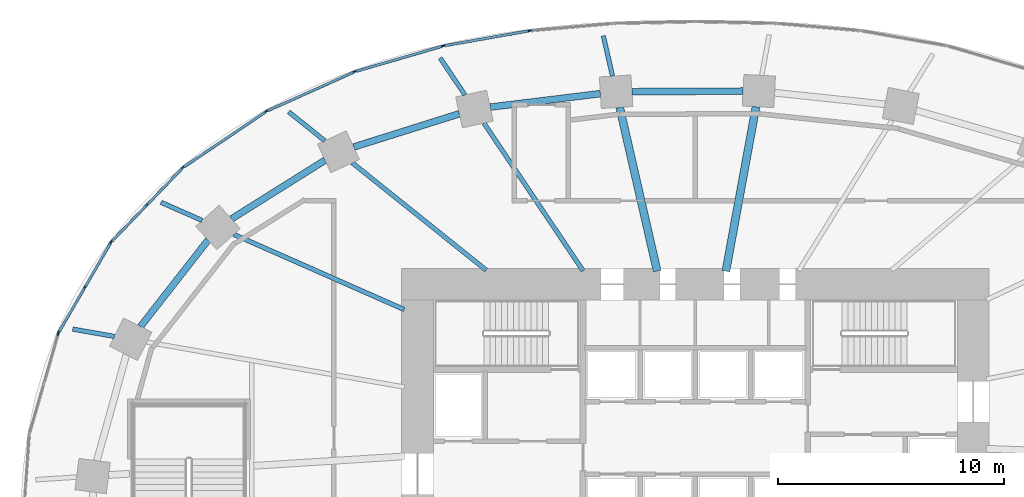
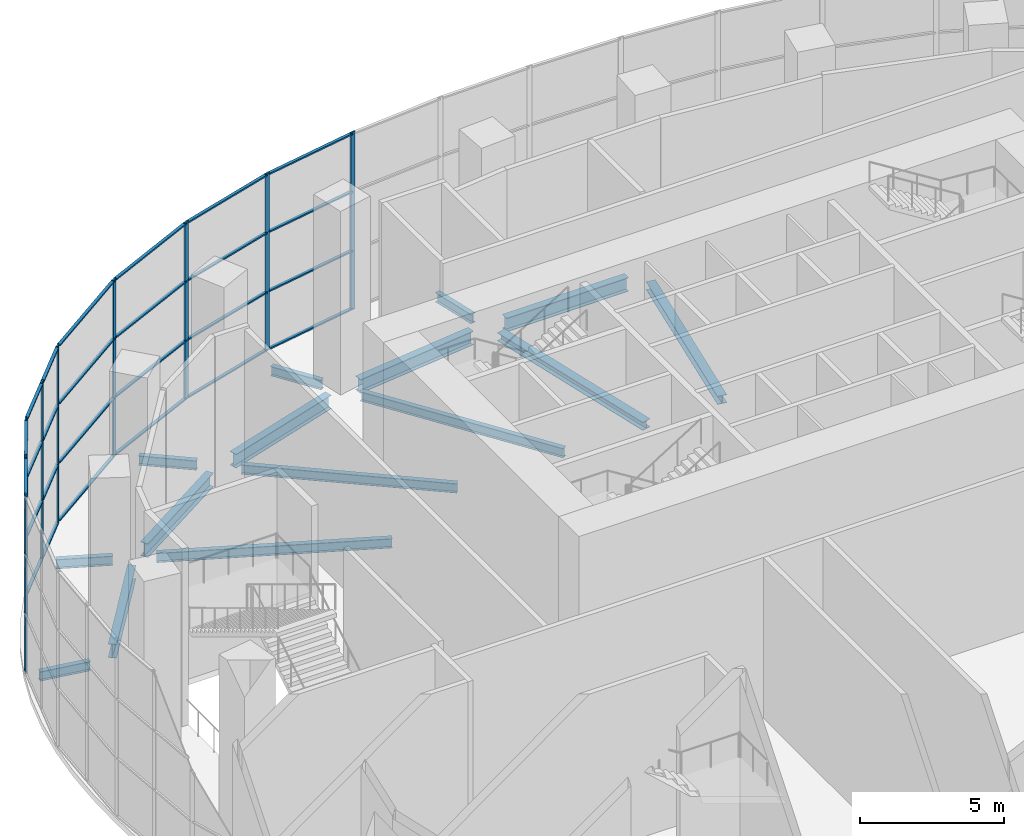
# One storey, part 7 of 22: 41 members, 15 beams, 7 elements without a shape of their own.
"""IFC4 building model written with IfcOpenShell, lengths in metres."""

from ifc_helpers import new_model, si_unit, direction, frame, origin, origin_2d, place, context, subcontext, project, spatial, rectangle, i_section, extrude, material, material_profile, profile_set, type_object, element, aggregate, save


model = new_model("IFC4")

# Units and contexts
model_context = context("Model", 3, precision=1e-05, world=origin(), true_north=direction((0.0, 1.0)))
body_context = subcontext(model_context, "Body", "Model", "MODEL_VIEW")
ifc_project = project(units=[si_unit("LENGTHUNIT", "METRE"), si_unit("AREAUNIT", "SQUARE_METRE"), si_unit("VOLUMEUNIT", "CUBIC_METRE"), si_unit("PLANEANGLEUNIT", "RADIAN"), si_unit("MASSUNIT", "GRAM", prefix="KILO")], contexts=[model_context])

# Site, building, storey
site_placement = place(None, origin())
site = spatial("IfcSite", under=ifc_project, at=site_placement, CompositionType="ELEMENT")
building_placement = place(site_placement, origin())
building = spatial("IfcBuilding", under=site, at=building_placement, Name="Rubra Terraces Tower", CompositionType="ELEMENT")
storey_placement = place(building_placement, frame((0.0, 0.0, 15.0)))
storey = spatial("IfcBuildingStorey", under=building, at=storey_placement, Name="L02", CompositionType="ELEMENT", Elevation=15.0)

# Beams
ifc_material_1 = material(Name="Steel Q355B", Category="steel")
ifc_material_profile_1 = material_profile(ifc_material_1, i_section(OverallWidth=0.199951171875, OverallDepth=0.39990234375, WebThickness=0.008056640625, FlangeThickness=0.012939453125, at=origin_2d()), Name="HN 400x200x8x13")
ifc_profile_set_1 = profile_set([ifc_material_profile_1], Name="Steel Q355B")
beam_type_1 = type_object("IfcBeamType", Name="CANTILEVER BEAM HN 400x200x8x13", PredefinedType="BEAM", material=ifc_profile_set_1)
beam_1_placement = place(storey_placement, frame((-3.6669921875, 20.514892578125, -0.449951171875), z_axis=(-0.223175715845, 0.974778231116, 0.0), x_axis=(-0.974778231116, -0.223175715845, 0.0)))
element("IfcBeam", 1, at=beam_1_placement, inside=storey, type_object=beam_type_1, Name="beam-L02-cant-07", PredefinedType="BEAM", context=body_context, shape_type="SweptSolid", body=[
    extrude(i_section(OverallWidth=0.199951171875, OverallDepth=0.39990234375, WebThickness=0.008056640625, FlangeThickness=0.012939453125, at=origin_2d()), origin(), (0.0, 0.0, 1.0), 1.832275390625),
])
beam_2_placement = place(storey_placement, frame((-10.199951171875, 19.68310546875, -0.449951171875), z_axis=(-0.557732327532, 0.830020873729, 0.0), x_axis=(-0.830020873729, -0.557732327532, 0.0)))
element("IfcBeam", 2, at=beam_2_placement, inside=storey, type_object=beam_type_1, Name="beam-L02-cant-08", PredefinedType="BEAM", context=body_context, shape_type="SweptSolid", body=[
    extrude(i_section(OverallWidth=0.199951171875, OverallDepth=0.39990234375, WebThickness=0.008056640625, FlangeThickness=0.012939453125, at=origin_2d()), origin(), (0.0, 0.0, 1.0), 1.96728515625),
])
beam_3_placement = place(storey_placement, frame((-16.408935546875, 17.654052734375, -0.449951171875), z_axis=(-0.780088162003, 0.625669608901, 0.0), x_axis=(-0.625669608901, -0.780088162003, 0.0)))
element("IfcBeam", 3, at=beam_3_placement, inside=storey, type_object=beam_type_1, Name="beam-L02-cant-09", PredefinedType="BEAM", context=body_context, shape_type="SweptSolid", body=[
    extrude(i_section(OverallWidth=0.199951171875, OverallDepth=0.39990234375, WebThickness=0.008056640625, FlangeThickness=0.012939453125, at=origin_2d()), origin(), (0.0, 0.0, 1.0), 2.0458984375),
])
beam_4_placement = place(storey_placement, frame((-21.8369140625, 14.1259765625, -0.449951171875), z_axis=(-0.914937817451, 0.403594834205, 0.0), x_axis=(-0.403594834205, -0.914937817451, 0.0)))
element("IfcBeam", 4, at=beam_4_placement, inside=storey, type_object=beam_type_1, Name="beam-L02-cant-10", PredefinedType="BEAM", context=body_context, shape_type="SweptSolid", body=[
    extrude(i_section(OverallWidth=0.199951171875, OverallDepth=0.39990234375, WebThickness=0.008056640625, FlangeThickness=0.012939453125, at=origin_2d()), origin(), (0.0, 0.0, 1.0), 1.987060546875),
])
beam_5_placement = place(storey_placement, frame((-25.722900390625, 8.991943359375, -0.449951171875), z_axis=(-0.985091859612, 0.172029149057, 0.0), x_axis=(-0.172029149057, -0.985091859612, 0.0)))
element("IfcBeam", 5, at=beam_5_placement, inside=storey, type_object=beam_type_1, Name="beam-L02-cant-11", PredefinedType="BEAM", context=body_context, shape_type="SweptSolid", body=[
    extrude(i_section(OverallWidth=0.199951171875, OverallDepth=0.39990234375, WebThickness=0.008056640625, FlangeThickness=0.012939453125, at=origin_2d()), origin(), (0.0, 0.0, 1.0), 1.871826171875),
])
ifc_material_profile_2 = material_profile(ifc_material_1, i_section(OverallWidth=0.199951171875, OverallDepth=0.39990234375, WebThickness=0.008056640625, FlangeThickness=0.012939453125, at=origin_2d()), Name="HN 400x200x8x13")
ifc_profile_set_2 = profile_set([ifc_material_profile_2], Name="Steel Q355B")
beam_type_2 = type_object("IfcBeamType", Name="FLOOR BEAM HN 400x200x8x13", PredefinedType="BEAM", material=ifc_profile_set_2)
beam_6_placement = place(storey_placement, frame((-9.360107421875, 18.43310546875, -0.449951171875), z_axis=(0.557574689395, -0.830126776912, 0.0), x_axis=(0.830126776912, 0.557574689395, 0.0)))
element("IfcBeam", 6, at=beam_6_placement, inside=storey, type_object=beam_type_2, Name="beam-L02-floor-08", PredefinedType="BEAM", context=body_context, shape_type="SweptSolid", body=[
    extrude(i_section(OverallWidth=0.199951171875, OverallDepth=0.39990234375, WebThickness=0.008056640625, FlangeThickness=0.012939453125, at=origin_2d()), origin(), (0.0, 0.0, 1.0), 7.8701171875),
])
beam_7_placement = place(storey_placement, frame((-15.18896484375, 16.676025390625, -0.449951171875), z_axis=(0.780266406942, -0.625447307291, 0.0), x_axis=(0.625447307291, 0.780266406942, 0.0)))
element("IfcBeam", 7, at=beam_7_placement, inside=storey, type_object=beam_type_2, Name="beam-L02-floor-09", PredefinedType="BEAM", context=body_context, shape_type="SweptSolid", body=[
    extrude(i_section(OverallWidth=0.199951171875, OverallDepth=0.39990234375, WebThickness=0.008056640625, FlangeThickness=0.012939453125, at=origin_2d()), origin(), (0.0, 0.0, 1.0), 7.59619140625),
])
beam_8_placement = place(storey_placement, frame((-20.43310546875, 13.508056640625, -0.449951171875), z_axis=(0.914994662209, -0.4034659442, 0.0), x_axis=(0.4034659442, 0.914994662209, 0.0)))
element("IfcBeam", 8, at=beam_8_placement, inside=storey, type_object=beam_type_2, Name="beam-L02-floor-10", PredefinedType="BEAM", context=body_context, shape_type="SweptSolid", body=[
    extrude(i_section(OverallWidth=0.199951171875, OverallDepth=0.39990234375, WebThickness=0.008056640625, FlangeThickness=0.012939453125, at=origin_2d()), origin(), (0.0, 0.0, 1.0), 8.243896484375),
])
ifc_material_profile_3 = material_profile(ifc_material_1, i_section(OverallWidth=0.35009765625, OverallDepth=0.35009765625, WebThickness=0.011962890625, FlangeThickness=0.01904296875, at=origin_2d()), Name="HW 350x350x12x19")
ifc_profile_set_3 = profile_set([ifc_material_profile_3], Name="Steel Q355B")
beam_type_3 = type_object("IfcBeamType", Name="FLOOR BEAM HW 350x350x12x19", PredefinedType="BEAM", material=ifc_profile_set_3)
beam_9_placement = place(storey_placement, frame((2.68408203125, 19.158935546875, -0.425048828125), z_axis=(-0.180186319425, -0.983632497578, 0.0), x_axis=(0.983632497578, -0.180186319425, 0.0)))
element("IfcBeam", 9, at=beam_9_placement, inside=storey, type_object=beam_type_3, Name="beam-L02-floor-06", PredefinedType="BEAM", context=body_context, shape_type="SweptSolid", body=[
    extrude(i_section(OverallWidth=0.35009765625, OverallDepth=0.35009765625, WebThickness=0.011962890625, FlangeThickness=0.01904296875, at=origin_2d()), origin(), (0.0, 0.0, 1.0), 7.39794921875),
])
beam_10_placement = place(storey_placement, frame((-3.35107421875, 19.133056640625, -0.425048828125), z_axis=(0.223209821828, -0.974770421914, 0.0), x_axis=(0.974770421914, 0.223209821828, 0.0)))
element("IfcBeam", 10, at=beam_10_placement, inside=storey, type_object=beam_type_3, Name="beam-L02-floor-07", PredefinedType="BEAM", context=body_context, shape_type="SweptSolid", body=[
    extrude(i_section(OverallWidth=0.35009765625, OverallDepth=0.35009765625, WebThickness=0.011962890625, FlangeThickness=0.01904296875, at=origin_2d()), origin(), (0.0, 0.0, 1.0), 7.437744140625),
])

# Curtain wall, member
ifc_material_2 = material(Name="Aluminium and glass", Category="aluminium")
curtain_wall_type = type_object("IfcCurtainWallType", Name="Curtain wall Podium glazing", PredefinedType="NOTDEFINED", material=ifc_material_2)
curtain_wall_1_placement = place(storey_placement, origin())
curtain_wall_1 = element("IfcCurtainWall", 11, at=curtain_wall_1_placement, inside=storey, type_object=curtain_wall_type, Name="L02 glazing bay 13", PredefinedType="NOTDEFINED")
ifc_material_3 = material(Name="Aluminium, anodised dark grey", Category="aluminium")
ifc_material_profile_4 = material_profile(ifc_material_3, rectangle(XDim=0.06005859375, YDim=0.199951171875, at=origin_2d()), Name="AL 60x200")
ifc_profile_set_4 = profile_set([ifc_material_profile_4], Name="Aluminium, anodised dark grey")
member_type_1 = type_object("IfcMemberType", Name="Podium glazing mullion 60 x 200", PredefinedType="MULLION", material=ifc_profile_set_4)
member_1_placement = place(storey_placement, frame((-7.359619140625, 22.52099609375, 0.0), z_axis=(0.0, 0.0, 1.0), x_axis=(0.172816985997, -0.984953952909, 0.0)))
member_1 = element("IfcMember", 12, at=member_1_placement, type_object=member_type_1, Name="CW1 mullion 1", PredefinedType="MULLION", context=body_context, shape_type="SweptSolid", body=[
    extrude(rectangle(XDim=0.06005859375, YDim=0.199951171875, at=origin_2d()), origin(), (0.0, 0.0, 1.0), 7.550048828125),
])

curtain_wall_2_placement = place(storey_placement, origin())
curtain_wall_2 = element("IfcCurtainWall", 13, at=curtain_wall_2_placement, inside=storey, type_object=curtain_wall_type, Name="L02 glazing bay 14", PredefinedType="NOTDEFINED")
member_2_placement = place(storey_placement, frame((-11.180908203125, 21.84765625, 0.0), z_axis=(0.0, 0.0, 1.0), x_axis=(0.279399200229, -0.96017502931, 0.0)))
member_2 = element("IfcMember", 14, at=member_2_placement, type_object=member_type_1, Name="CW1 mullion 1", PredefinedType="MULLION", context=body_context, shape_type="SweptSolid", body=[
    extrude(rectangle(XDim=0.06005859375, YDim=0.199951171875, at=origin_2d()), origin(), (0.0, 0.0, 1.0), 7.550048828125),
])

curtain_wall_3_placement = place(storey_placement, origin())
curtain_wall_3 = element("IfcCurtainWall", 15, at=curtain_wall_3_placement, inside=storey, type_object=curtain_wall_type, Name="L02 glazing bay 15", PredefinedType="NOTDEFINED")
member_3_placement = place(storey_placement, frame((-15.09765625, 20.704345703125, 0.0), z_axis=(0.0, 0.0, 1.0), x_axis=(0.4089624427, -0.912551215254, 0.0)))
member_3 = element("IfcMember", 16, at=member_3_placement, type_object=member_type_1, Name="CW1 mullion 1", PredefinedType="MULLION", context=body_context, shape_type="SweptSolid", body=[
    extrude(rectangle(XDim=0.06005859375, YDim=0.199951171875, at=origin_2d()), origin(), (0.0, 0.0, 1.0), 7.550048828125),
])

curtain_wall_4_placement = place(storey_placement, origin())
curtain_wall_4 = element("IfcCurtainWall", 17, at=curtain_wall_4_placement, inside=storey, type_object=curtain_wall_type, Name="L02 glazing bay 16", PredefinedType="NOTDEFINED")
member_4_placement = place(storey_placement, frame((-19.009033203125, 18.947021484375, 0.0), z_axis=(0.0, 0.0, 1.0), x_axis=(0.55927727939, -0.828980654031, 0.0)))
member_4 = element("IfcMember", 18, at=member_4_placement, type_object=member_type_1, Name="CW1 mullion 1", PredefinedType="MULLION", context=body_context, shape_type="SweptSolid", body=[
    extrude(rectangle(XDim=0.06005859375, YDim=0.199951171875, at=origin_2d()), origin(), (0.0, 0.0, 1.0), 7.550048828125),
])

# Curtain wall, members
curtain_wall_5_placement = place(storey_placement, origin())
curtain_wall_5 = element("IfcCurtainWall", 19, at=curtain_wall_5_placement, inside=storey, type_object=curtain_wall_type, Name="L02 glazing bay 17", PredefinedType="NOTDEFINED")
member_5_placement = place(storey_placement, frame((-22.705810546875, 16.447265625, 0.0), z_axis=(0.0, 0.0, 1.0), x_axis=(0.71982488517, -0.69415569917, 0.0)))
member_5 = element("IfcMember", 20, at=member_5_placement, type_object=member_type_1, Name="CW1 mullion 1", PredefinedType="MULLION", context=body_context, shape_type="SweptSolid", body=[
    extrude(rectangle(XDim=0.06005859375, YDim=0.199951171875, at=origin_2d()), origin(), (0.0, 0.0, 1.0), 7.550048828125),
])
member_6_placement = place(storey_placement, frame((-24.280517578125, 14.814453125, 0.0), z_axis=(0.0, 0.0, 1.0), x_axis=(0.71982488517, -0.69415569917, 0.0)))
member_6 = element("IfcMember", 21, at=member_6_placement, type_object=member_type_1, Name="CW1 mullion 2", PredefinedType="MULLION", context=body_context, shape_type="SweptSolid", body=[
    extrude(rectangle(XDim=0.06005859375, YDim=0.199951171875, at=origin_2d()), origin(), (0.0, 0.0, 1.0), 7.550048828125),
])

curtain_wall_6_placement = place(storey_placement, origin())
curtain_wall_6 = element("IfcCurtainWall", 22, at=curtain_wall_6_placement, inside=storey, type_object=curtain_wall_type, Name="L02 glazing bay 18", PredefinedType="NOTDEFINED")
member_7_placement = place(storey_placement, frame((-25.880126953125, 13.1484375, 0.0), z_axis=(0.0, 0.0, 1.0), x_axis=(0.864813011398, -0.502094070187, 0.0)))
member_7 = element("IfcMember", 23, at=member_7_placement, type_object=member_type_1, Name="CW1 mullion 1", PredefinedType="MULLION", context=body_context, shape_type="SweptSolid", body=[
    extrude(rectangle(XDim=0.06005859375, YDim=0.199951171875, at=origin_2d()), origin(), (0.0, 0.0, 1.0), 7.550048828125),
])
member_8_placement = place(storey_placement, frame((-27.0341796875, 11.160888671875, 0.0), z_axis=(0.0, 0.0, 1.0), x_axis=(0.864813011398, -0.502094070187, 0.0)))
member_8 = element("IfcMember", 24, at=member_8_placement, type_object=member_type_1, Name="CW1 mullion 2", PredefinedType="MULLION", context=body_context, shape_type="SweptSolid", body=[
    extrude(rectangle(XDim=0.06005859375, YDim=0.199951171875, at=origin_2d()), origin(), (0.0, 0.0, 1.0), 7.550048828125),
])

# Curtain wall, member
curtain_wall_7_placement = place(storey_placement, origin())
curtain_wall_7 = element("IfcCurtainWall", 25, at=curtain_wall_7_placement, inside=storey, type_object=curtain_wall_type, Name="L02 glazing bay 19", PredefinedType="NOTDEFINED")
member_9_placement = place(storey_placement, frame((-28.2041015625, 9.135498046875, 0.0), z_axis=(0.0, 0.0, 1.0), x_axis=(0.961047339404, -0.276383811798, 0.0)))
member_9 = element("IfcMember", 26, at=member_9_placement, type_object=member_type_1, Name="CW1 mullion 1", PredefinedType="MULLION", context=body_context, shape_type="SweptSolid", body=[
    extrude(rectangle(XDim=0.06005859375, YDim=0.199951171875, at=origin_2d()), origin(), (0.0, 0.0, 1.0), 7.550048828125),
])
aggregate(curtain_wall_7, [member_9])

# Member
ifc_material_profile_5 = material_profile(ifc_material_3, rectangle(XDim=0.1201171875, YDim=0.06005859375, at=origin_2d()), Name="AL 120x60")
ifc_profile_set_5 = profile_set([ifc_material_profile_5], Name="Aluminium, anodised dark grey")
member_type_2 = type_object("IfcMemberType", Name="Podium glazing transom 120 x 60", PredefinedType="USERDEFINED", material=ifc_profile_set_5)
member_10_placement = place(storey_placement, frame((-7.38916015625, 22.515625, 0.06005859375), z_axis=(-0.984959152546, -0.172787348539, 0.0), x_axis=(0.172787348539, -0.984959152546, 0.0)))
member_10 = element("IfcMember", 27, at=member_10_placement, type_object=member_type_2, Name="CW1 transom 1.1", ObjectType="TRANSOM", PredefinedType="USERDEFINED", context=body_context, shape_type="SweptSolid", body=[
    extrude(rectangle(XDim=0.1201171875, YDim=0.06005859375, at=origin_2d()), origin(), (0.0, 0.0, 1.0), 3.768310546875),
])

member_11_placement = place(storey_placement, frame((-7.38916015625, 22.515625, 2.5166015625), z_axis=(-0.984959152546, -0.172787348539, 0.0), x_axis=(0.172787348539, -0.984959152546, 0.0)))
member_11 = element("IfcMember", 28, at=member_11_placement, type_object=member_type_2, Name="CW1 transom 1.2", ObjectType="TRANSOM", PredefinedType="USERDEFINED", context=body_context, shape_type="SweptSolid", body=[
    extrude(rectangle(XDim=0.1201171875, YDim=0.06005859375, at=origin_2d()), origin(), (0.0, 0.0, 1.0), 3.768310546875),
])

member_12_placement = place(storey_placement, frame((-7.38916015625, 22.515625, 5.033203125), z_axis=(-0.984959152546, -0.172787348539, 0.0), x_axis=(0.172787348539, -0.984959152546, 0.0)))
member_12 = element("IfcMember", 29, at=member_12_placement, type_object=member_type_2, Name="CW1 transom 1.3", ObjectType="TRANSOM", PredefinedType="USERDEFINED", context=body_context, shape_type="SweptSolid", body=[
    extrude(rectangle(XDim=0.1201171875, YDim=0.06005859375, at=origin_2d()), origin(), (0.0, 0.0, 1.0), 3.768310546875),
])

member_13_placement = place(storey_placement, frame((-7.38916015625, 22.515625, 7.489990234375), z_axis=(-0.984959152546, -0.172787348539, 0.0), x_axis=(0.172787348539, -0.984959152546, 0.0)))
member_13 = element("IfcMember", 30, at=member_13_placement, type_object=member_type_2, Name="CW1 transom 1.4", ObjectType="TRANSOM", PredefinedType="USERDEFINED", context=body_context, shape_type="SweptSolid", body=[
    extrude(rectangle(XDim=0.1201171875, YDim=0.06005859375, at=origin_2d()), origin(), (0.0, 0.0, 1.0), 3.768310546875),
])

aggregate(curtain_wall_1, [member_1, member_10, member_11, member_12, member_13])

member_14_placement = place(storey_placement, frame((-11.209716796875, 21.83935546875, 0.06005859375), z_axis=(-0.960164409194, -0.279435694422, 0.0), x_axis=(0.279435694422, -0.960164409194, 0.0)))
member_14 = element("IfcMember", 31, at=member_14_placement, type_object=member_type_2, Name="CW1 transom 1.1", ObjectType="TRANSOM", PredefinedType="USERDEFINED", context=body_context, shape_type="SweptSolid", body=[
    extrude(rectangle(XDim=0.1201171875, YDim=0.06005859375, at=origin_2d()), origin(), (0.0, 0.0, 1.0), 3.970947265625),
])

member_15_placement = place(storey_placement, frame((-11.209716796875, 21.83935546875, 2.5166015625), z_axis=(-0.960164409194, -0.279435694422, 0.0), x_axis=(0.279435694422, -0.960164409194, 0.0)))
member_15 = element("IfcMember", 32, at=member_15_placement, type_object=member_type_2, Name="CW1 transom 1.2", ObjectType="TRANSOM", PredefinedType="USERDEFINED", context=body_context, shape_type="SweptSolid", body=[
    extrude(rectangle(XDim=0.1201171875, YDim=0.06005859375, at=origin_2d()), origin(), (0.0, 0.0, 1.0), 3.970947265625),
])

member_16_placement = place(storey_placement, frame((-11.209716796875, 21.83935546875, 5.033203125), z_axis=(-0.960164409194, -0.279435694422, 0.0), x_axis=(0.279435694422, -0.960164409194, 0.0)))
member_16 = element("IfcMember", 33, at=member_16_placement, type_object=member_type_2, Name="CW1 transom 1.3", ObjectType="TRANSOM", PredefinedType="USERDEFINED", context=body_context, shape_type="SweptSolid", body=[
    extrude(rectangle(XDim=0.1201171875, YDim=0.06005859375, at=origin_2d()), origin(), (0.0, 0.0, 1.0), 3.970947265625),
])

member_17_placement = place(storey_placement, frame((-11.209716796875, 21.83935546875, 7.489990234375), z_axis=(-0.960164409194, -0.279435694422, 0.0), x_axis=(0.279435694422, -0.960164409194, 0.0)))
member_17 = element("IfcMember", 34, at=member_17_placement, type_object=member_type_2, Name="CW1 transom 1.4", ObjectType="TRANSOM", PredefinedType="USERDEFINED", context=body_context, shape_type="SweptSolid", body=[
    extrude(rectangle(XDim=0.1201171875, YDim=0.06005859375, at=origin_2d()), origin(), (0.0, 0.0, 1.0), 3.970947265625),
])

aggregate(curtain_wall_2, [member_2, member_14, member_15, member_16, member_17])

member_18_placement = place(storey_placement, frame((-15.125, 20.692138671875, 0.06005859375), z_axis=(-0.912545396627, -0.408975426029, 0.0), x_axis=(0.408975426029, -0.912545396627, 0.0)))
member_18 = element("IfcMember", 35, at=member_18_placement, type_object=member_type_2, Name="CW1 transom 1.1", ObjectType="TRANSOM", PredefinedType="USERDEFINED", context=body_context, shape_type="SweptSolid", body=[
    extrude(rectangle(XDim=0.1201171875, YDim=0.06005859375, at=origin_2d()), origin(), (0.0, 0.0, 1.0), 4.18115234375),
])

member_19_placement = place(storey_placement, frame((-15.125, 20.692138671875, 2.5166015625), z_axis=(-0.912545396627, -0.408975426029, 0.0), x_axis=(0.408975426029, -0.912545396627, 0.0)))
member_19 = element("IfcMember", 36, at=member_19_placement, type_object=member_type_2, Name="CW1 transom 1.2", ObjectType="TRANSOM", PredefinedType="USERDEFINED", context=body_context, shape_type="SweptSolid", body=[
    extrude(rectangle(XDim=0.1201171875, YDim=0.06005859375, at=origin_2d()), origin(), (0.0, 0.0, 1.0), 4.18115234375),
])

member_20_placement = place(storey_placement, frame((-15.125, 20.692138671875, 5.033203125), z_axis=(-0.912545396627, -0.408975426029, 0.0), x_axis=(0.408975426029, -0.912545396627, 0.0)))
member_20 = element("IfcMember", 37, at=member_20_placement, type_object=member_type_2, Name="CW1 transom 1.3", ObjectType="TRANSOM", PredefinedType="USERDEFINED", context=body_context, shape_type="SweptSolid", body=[
    extrude(rectangle(XDim=0.1201171875, YDim=0.06005859375, at=origin_2d()), origin(), (0.0, 0.0, 1.0), 4.18115234375),
])

member_21_placement = place(storey_placement, frame((-15.125, 20.692138671875, 7.489990234375), z_axis=(-0.912545396627, -0.408975426029, 0.0), x_axis=(0.408975426029, -0.912545396627, 0.0)))
member_21 = element("IfcMember", 38, at=member_21_placement, type_object=member_type_2, Name="CW1 transom 1.4", ObjectType="TRANSOM", PredefinedType="USERDEFINED", context=body_context, shape_type="SweptSolid", body=[
    extrude(rectangle(XDim=0.1201171875, YDim=0.06005859375, at=origin_2d()), origin(), (0.0, 0.0, 1.0), 4.18115234375),
])

aggregate(curtain_wall_3, [member_3, member_18, member_19, member_20, member_21])

member_22_placement = place(storey_placement, frame((-19.033935546875, 18.93017578125, 0.06005859375), z_axis=(-0.828996039897, -0.559254473236, 0.0), x_axis=(0.559254473236, -0.828996039897, 0.0)))
member_22 = element("IfcMember", 39, at=member_22_placement, type_object=member_type_2, Name="CW1 transom 1.1", ObjectType="TRANSOM", PredefinedType="USERDEFINED", context=body_context, shape_type="SweptSolid", body=[
    extrude(rectangle(XDim=0.1201171875, YDim=0.06005859375, at=origin_2d()), origin(), (0.0, 0.0, 1.0), 4.35888671875),
])

member_23_placement = place(storey_placement, frame((-19.033935546875, 18.93017578125, 2.5166015625), z_axis=(-0.828996039897, -0.559254473236, 0.0), x_axis=(0.559254473236, -0.828996039897, 0.0)))
member_23 = element("IfcMember", 40, at=member_23_placement, type_object=member_type_2, Name="CW1 transom 1.2", ObjectType="TRANSOM", PredefinedType="USERDEFINED", context=body_context, shape_type="SweptSolid", body=[
    extrude(rectangle(XDim=0.1201171875, YDim=0.06005859375, at=origin_2d()), origin(), (0.0, 0.0, 1.0), 4.35888671875),
])

member_24_placement = place(storey_placement, frame((-19.033935546875, 18.93017578125, 5.033203125), z_axis=(-0.828996039897, -0.559254473236, 0.0), x_axis=(0.559254473236, -0.828996039897, 0.0)))
member_24 = element("IfcMember", 41, at=member_24_placement, type_object=member_type_2, Name="CW1 transom 1.3", ObjectType="TRANSOM", PredefinedType="USERDEFINED", context=body_context, shape_type="SweptSolid", body=[
    extrude(rectangle(XDim=0.1201171875, YDim=0.06005859375, at=origin_2d()), origin(), (0.0, 0.0, 1.0), 4.35888671875),
])

member_25_placement = place(storey_placement, frame((-19.033935546875, 18.93017578125, 7.489990234375), z_axis=(-0.828996039897, -0.559254473236, 0.0), x_axis=(0.559254473236, -0.828996039897, 0.0)))
member_25 = element("IfcMember", 42, at=member_25_placement, type_object=member_type_2, Name="CW1 transom 1.4", ObjectType="TRANSOM", PredefinedType="USERDEFINED", context=body_context, shape_type="SweptSolid", body=[
    extrude(rectangle(XDim=0.1201171875, YDim=0.06005859375, at=origin_2d()), origin(), (0.0, 0.0, 1.0), 4.35888671875),
])

aggregate(curtain_wall_4, [member_4, member_22, member_23, member_24, member_25])

member_26_placement = place(storey_placement, frame((-22.7265625, 16.42578125, 0.06005859375), z_axis=(-0.694168299732, -0.719812733735, 0.0), x_axis=(0.719812733735, -0.694168299732, 0.0)))
member_26 = element("IfcMember", 43, at=member_26_placement, type_object=member_type_2, Name="CW1 transom 1.1", ObjectType="TRANSOM", PredefinedType="USERDEFINED", context=body_context, shape_type="SweptSolid", body=[
    extrude(rectangle(XDim=0.1201171875, YDim=0.06005859375, at=origin_2d()), origin(), (0.0, 0.0, 1.0), 2.208740234375),
])

member_27_placement = place(storey_placement, frame((-22.7265625, 16.42578125, 2.5166015625), z_axis=(-0.694168299732, -0.719812733735, 0.0), x_axis=(0.719812733735, -0.694168299732, 0.0)))
member_27 = element("IfcMember", 44, at=member_27_placement, type_object=member_type_2, Name="CW1 transom 1.2", ObjectType="TRANSOM", PredefinedType="USERDEFINED", context=body_context, shape_type="SweptSolid", body=[
    extrude(rectangle(XDim=0.1201171875, YDim=0.06005859375, at=origin_2d()), origin(), (0.0, 0.0, 1.0), 2.208740234375),
])

member_28_placement = place(storey_placement, frame((-22.7265625, 16.42578125, 5.033203125), z_axis=(-0.694168299732, -0.719812733735, 0.0), x_axis=(0.719812733735, -0.694168299732, 0.0)))
member_28 = element("IfcMember", 45, at=member_28_placement, type_object=member_type_2, Name="CW1 transom 1.3", ObjectType="TRANSOM", PredefinedType="USERDEFINED", context=body_context, shape_type="SweptSolid", body=[
    extrude(rectangle(XDim=0.1201171875, YDim=0.06005859375, at=origin_2d()), origin(), (0.0, 0.0, 1.0), 2.208740234375),
])

member_29_placement = place(storey_placement, frame((-22.7265625, 16.42578125, 7.489990234375), z_axis=(-0.694168299732, -0.719812733735, 0.0), x_axis=(0.719812733735, -0.694168299732, 0.0)))
member_29 = element("IfcMember", 46, at=member_29_placement, type_object=member_type_2, Name="CW1 transom 1.4", ObjectType="TRANSOM", PredefinedType="USERDEFINED", context=body_context, shape_type="SweptSolid", body=[
    extrude(rectangle(XDim=0.1201171875, YDim=0.06005859375, at=origin_2d()), origin(), (0.0, 0.0, 1.0), 2.208740234375),
])

member_30_placement = place(storey_placement, frame((-24.30126953125, 14.792724609375, 0.06005859375), z_axis=(-0.694223533913, -0.719759463266, 0.0), x_axis=(0.719759463266, -0.694223533913, 0.0)))
member_30 = element("IfcMember", 47, at=member_30_placement, type_object=member_type_2, Name="CW1 transom 2.1", ObjectType="TRANSOM", PredefinedType="USERDEFINED", context=body_context, shape_type="SweptSolid", body=[
    extrude(rectangle(XDim=0.1201171875, YDim=0.06005859375, at=origin_2d()), origin(), (0.0, 0.0, 1.0), 2.20849609375),
])

member_31_placement = place(storey_placement, frame((-24.30126953125, 14.792724609375, 2.5166015625), z_axis=(-0.694223533913, -0.719759463266, 0.0), x_axis=(0.719759463266, -0.694223533913, 0.0)))
member_31 = element("IfcMember", 48, at=member_31_placement, type_object=member_type_2, Name="CW1 transom 2.2", ObjectType="TRANSOM", PredefinedType="USERDEFINED", context=body_context, shape_type="SweptSolid", body=[
    extrude(rectangle(XDim=0.1201171875, YDim=0.06005859375, at=origin_2d()), origin(), (0.0, 0.0, 1.0), 2.20849609375),
])

member_32_placement = place(storey_placement, frame((-24.30126953125, 14.792724609375, 5.033203125), z_axis=(-0.694223533913, -0.719759463266, 0.0), x_axis=(0.719759463266, -0.694223533913, 0.0)))
member_32 = element("IfcMember", 49, at=member_32_placement, type_object=member_type_2, Name="CW1 transom 2.3", ObjectType="TRANSOM", PredefinedType="USERDEFINED", context=body_context, shape_type="SweptSolid", body=[
    extrude(rectangle(XDim=0.1201171875, YDim=0.06005859375, at=origin_2d()), origin(), (0.0, 0.0, 1.0), 2.20849609375),
])

member_33_placement = place(storey_placement, frame((-24.30126953125, 14.792724609375, 7.489990234375), z_axis=(-0.694223533913, -0.719759463266, 0.0), x_axis=(0.719759463266, -0.694223533913, 0.0)))
member_33 = element("IfcMember", 50, at=member_33_placement, type_object=member_type_2, Name="CW1 transom 2.4", ObjectType="TRANSOM", PredefinedType="USERDEFINED", context=body_context, shape_type="SweptSolid", body=[
    extrude(rectangle(XDim=0.1201171875, YDim=0.06005859375, at=origin_2d()), origin(), (0.0, 0.0, 1.0), 2.20849609375),
])

aggregate(curtain_wall_5, [member_5, member_6, member_26, member_27, member_28, member_29, member_30, member_31, member_32, member_33])

member_34_placement = place(storey_placement, frame((-25.895263671875, 13.122314453125, 0.06005859375), z_axis=(-0.502106569931, -0.864805754162, 0.0), x_axis=(0.864805754162, -0.502106569931, 0.0)))
member_34 = element("IfcMember", 51, at=member_34_placement, type_object=member_type_2, Name="CW1 transom 1.1", ObjectType="TRANSOM", PredefinedType="USERDEFINED", context=body_context, shape_type="SweptSolid", body=[
    extrude(rectangle(XDim=0.1201171875, YDim=0.06005859375, at=origin_2d()), origin(), (0.0, 0.0, 1.0), 2.238037109375),
])

member_35_placement = place(storey_placement, frame((-25.895263671875, 13.122314453125, 2.5166015625), z_axis=(-0.502106569931, -0.864805754162, 0.0), x_axis=(0.864805754162, -0.502106569931, 0.0)))
member_35 = element("IfcMember", 52, at=member_35_placement, type_object=member_type_2, Name="CW1 transom 1.2", ObjectType="TRANSOM", PredefinedType="USERDEFINED", context=body_context, shape_type="SweptSolid", body=[
    extrude(rectangle(XDim=0.1201171875, YDim=0.06005859375, at=origin_2d()), origin(), (0.0, 0.0, 1.0), 2.238037109375),
])

member_36_placement = place(storey_placement, frame((-25.895263671875, 13.122314453125, 5.033203125), z_axis=(-0.502106569931, -0.864805754162, 0.0), x_axis=(0.864805754162, -0.502106569931, 0.0)))
member_36 = element("IfcMember", 53, at=member_36_placement, type_object=member_type_2, Name="CW1 transom 1.3", ObjectType="TRANSOM", PredefinedType="USERDEFINED", context=body_context, shape_type="SweptSolid", body=[
    extrude(rectangle(XDim=0.1201171875, YDim=0.06005859375, at=origin_2d()), origin(), (0.0, 0.0, 1.0), 2.238037109375),
])

member_37_placement = place(storey_placement, frame((-25.895263671875, 13.122314453125, 7.489990234375), z_axis=(-0.502106569931, -0.864805754162, 0.0), x_axis=(0.864805754162, -0.502106569931, 0.0)))
member_37 = element("IfcMember", 54, at=member_37_placement, type_object=member_type_2, Name="CW1 transom 1.4", ObjectType="TRANSOM", PredefinedType="USERDEFINED", context=body_context, shape_type="SweptSolid", body=[
    extrude(rectangle(XDim=0.1201171875, YDim=0.06005859375, at=origin_2d()), origin(), (0.0, 0.0, 1.0), 2.238037109375),
])

member_38_placement = place(storey_placement, frame((-27.049072265625, 11.134765625, 0.06005859375), z_axis=(-0.5021881448, -0.864758386616, 0.0), x_axis=(0.864758386616, -0.5021881448, 0.0)))
member_38 = element("IfcMember", 55, at=member_38_placement, type_object=member_type_2, Name="CW1 transom 2.1", ObjectType="TRANSOM", PredefinedType="USERDEFINED", context=body_context, shape_type="SweptSolid", body=[
    extrude(rectangle(XDim=0.1201171875, YDim=0.06005859375, at=origin_2d()), origin(), (0.0, 0.0, 1.0), 2.23828125),
])

member_39_placement = place(storey_placement, frame((-27.049072265625, 11.134765625, 2.5166015625), z_axis=(-0.5021881448, -0.864758386616, 0.0), x_axis=(0.864758386616, -0.5021881448, 0.0)))
member_39 = element("IfcMember", 56, at=member_39_placement, type_object=member_type_2, Name="CW1 transom 2.2", ObjectType="TRANSOM", PredefinedType="USERDEFINED", context=body_context, shape_type="SweptSolid", body=[
    extrude(rectangle(XDim=0.1201171875, YDim=0.06005859375, at=origin_2d()), origin(), (0.0, 0.0, 1.0), 2.23828125),
])

member_40_placement = place(storey_placement, frame((-27.049072265625, 11.134765625, 5.033203125), z_axis=(-0.5021881448, -0.864758386616, 0.0), x_axis=(0.864758386616, -0.5021881448, 0.0)))
member_40 = element("IfcMember", 57, at=member_40_placement, type_object=member_type_2, Name="CW1 transom 2.3", ObjectType="TRANSOM", PredefinedType="USERDEFINED", context=body_context, shape_type="SweptSolid", body=[
    extrude(rectangle(XDim=0.1201171875, YDim=0.06005859375, at=origin_2d()), origin(), (0.0, 0.0, 1.0), 2.23828125),
])

member_41_placement = place(storey_placement, frame((-27.049072265625, 11.134765625, 7.489990234375), z_axis=(-0.5021881448, -0.864758386616, 0.0), x_axis=(0.864758386616, -0.5021881448, 0.0)))
member_41 = element("IfcMember", 58, at=member_41_placement, type_object=member_type_2, Name="CW1 transom 2.4", ObjectType="TRANSOM", PredefinedType="USERDEFINED", context=body_context, shape_type="SweptSolid", body=[
    extrude(rectangle(XDim=0.1201171875, YDim=0.06005859375, at=origin_2d()), origin(), (0.0, 0.0, 1.0), 2.23828125),
])

aggregate(curtain_wall_6, [member_7, member_8, member_34, member_35, member_36, member_37, member_38, member_39, member_40, member_41])

# Beams
ifc_material_profile_6 = material_profile(ifc_material_1, i_section(OverallWidth=0.300048828125, OverallDepth=0.587890625, WebThickness=0.011962890625, FlangeThickness=0.02001953125, at=origin_2d()), Name="HM 588x300x12x20")
ifc_profile_set_6 = profile_set([ifc_material_profile_6], Name="Steel Q355B")
beam_type_4 = type_object("IfcBeamType", Name="SPANDREL BEAM HM 588x300x12x20", PredefinedType="SPANDREL", material=ifc_profile_set_6)
beam_11_placement = place(storey_placement, frame((2.110107421875, 19.85107421875, -0.5439453125), z_axis=(-0.999987924698, -0.004914311469, 0.0), x_axis=(0.004914311469, -0.999987924698, 0.0)))
element("IfcBeam", 59, at=beam_11_placement, inside=storey, type_object=beam_type_4, Name="beam-L02-spandrel-06", PredefinedType="SPANDREL", context=body_context, shape_type="SweptSolid", body=[
    extrude(i_section(OverallWidth=0.300048828125, OverallDepth=0.587890625, WebThickness=0.011962890625, FlangeThickness=0.02001953125, at=origin_2d()), origin(), (0.0, 0.0, 1.0), 4.918212890625),
])
beam_12_placement = place(storey_placement, frame((-4.205078125, 19.739013671875, -0.5439453125), z_axis=(-0.992616576014, -0.12129440639, 0.0), x_axis=(0.12129440639, -0.992616576014, 0.0)))
element("IfcBeam", 60, at=beam_12_placement, inside=storey, type_object=beam_type_4, Name="beam-L02-spandrel-07", PredefinedType="SPANDREL", context=body_context, shape_type="SweptSolid", body=[
    extrude(i_section(OverallWidth=0.300048828125, OverallDepth=0.587890625, WebThickness=0.011962890625, FlangeThickness=0.02001953125, at=origin_2d()), origin(), (0.0, 0.0, 1.0), 4.913330078125),
])
beam_13_placement = place(storey_placement, frame((-10.450927734375, 18.846923828125, -0.5439453125), z_axis=(-0.953954624663, -0.299950952796, 0.0), x_axis=(0.299950952796, -0.953954624663, 0.0)))
element("IfcBeam", 61, at=beam_13_placement, inside=storey, type_object=beam_type_4, Name="beam-L02-spandrel-08", PredefinedType="SPANDREL", context=body_context, shape_type="SweptSolid", body=[
    extrude(i_section(OverallWidth=0.300048828125, OverallDepth=0.587890625, WebThickness=0.011962890625, FlangeThickness=0.02001953125, at=origin_2d()), origin(), (0.0, 0.0, 1.0), 4.900634765625),
])
beam_14_placement = place(storey_placement, frame((-16.39697265625, 16.7900390625, -0.5439453125), z_axis=(-0.847078460197, -0.531467856291, 0.0), x_axis=(0.531467856291, -0.847078460197, 0.0)))
element("IfcBeam", 62, at=beam_14_placement, inside=storey, type_object=beam_type_4, Name="beam-L02-spandrel-09", PredefinedType="SPANDREL", context=body_context, shape_type="SweptSolid", body=[
    extrude(i_section(OverallWidth=0.300048828125, OverallDepth=0.587890625, WebThickness=0.011962890625, FlangeThickness=0.02001953125, at=origin_2d()), origin(), (0.0, 0.0, 1.0), 4.882568359375),
])
beam_15_placement = place(storey_placement, frame((-21.572998046875, 13.257080078125, -0.5439453125), z_axis=(-0.615577734286, -0.788076172112, 0.0), x_axis=(0.788076172112, -0.615577734286, 0.0)))
element("IfcBeam", 63, at=beam_15_placement, inside=storey, type_object=beam_type_4, Name="beam-L02-spandrel-10", PredefinedType="SPANDREL", context=body_context, shape_type="SweptSolid", body=[
    extrude(i_section(OverallWidth=0.300048828125, OverallDepth=0.587890625, WebThickness=0.011962890625, FlangeThickness=0.02001953125, at=origin_2d()), origin(), (0.0, 0.0, 1.0), 4.85888671875),
])

save(model, "model.ifc")
